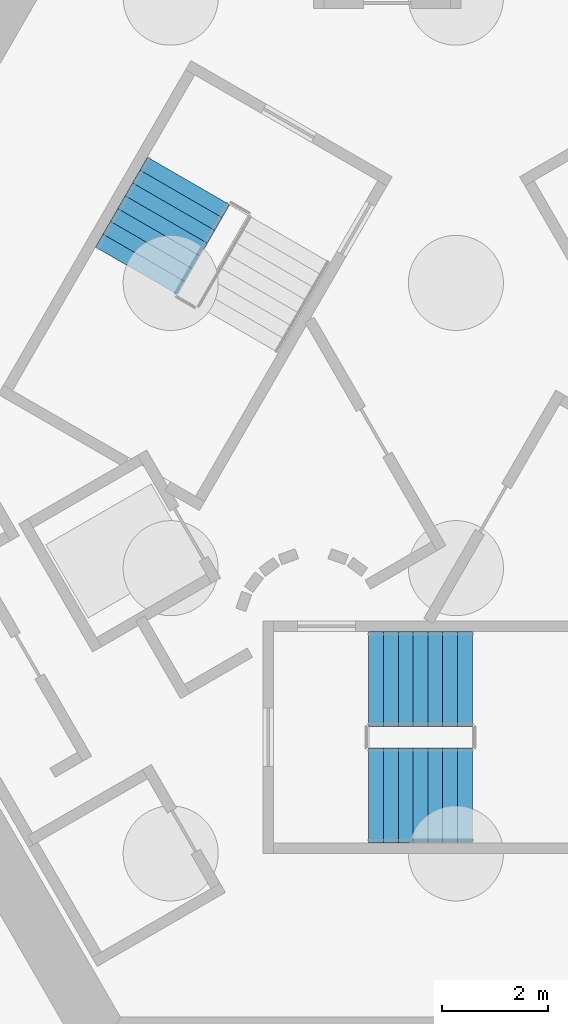
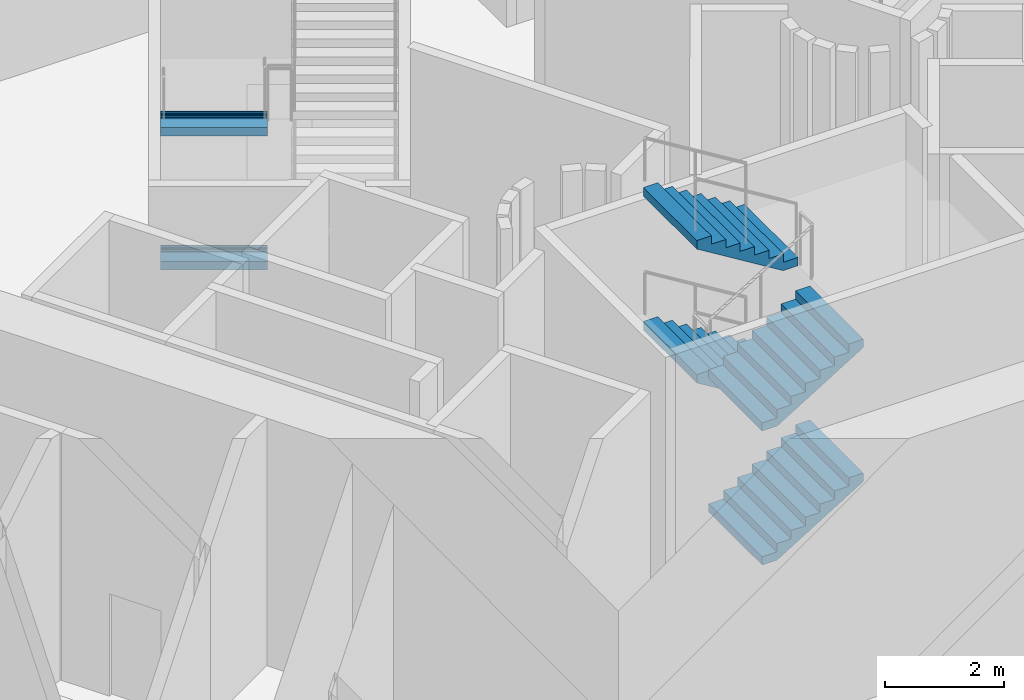
# One storey, part 11 of 14: 6 stair flights, 2 elements without a shape of their own.
"""IFC4 building model written with IfcOpenShell, lengths in metres."""

from ifc_helpers import new_model, si_unit, direction, frame, origin, place, context, subcontext, project, spatial, triangles, material, type_object, element, aggregate, save


model = new_model("IFC4")

# Units and contexts
model_context = context("Model", 3, precision=1e-05, world=origin(), true_north=direction((0.0, 1.0)))
body_context = subcontext(model_context, "Body", "Model", "MODEL_VIEW")
ifc_project = project(units=[si_unit("LENGTHUNIT", "METRE"), si_unit("AREAUNIT", "SQUARE_METRE"), si_unit("VOLUMEUNIT", "CUBIC_METRE"), si_unit("PLANEANGLEUNIT", "RADIAN"), si_unit("MASSUNIT", "GRAM", prefix="KILO")], contexts=[model_context])

# Site, building, storey
site_placement = place(None, origin())
site = spatial("IfcSite", under=ifc_project, at=site_placement, CompositionType="ELEMENT")
building_placement = place(site_placement, origin())
building = spatial("IfcBuilding", under=site, at=building_placement, Name="Entoto Arch Interchange Tower", CompositionType="ELEMENT")
storey_placement = place(building_placement, frame((0.0, 0.0, -16.5)))
storey = spatial("IfcBuildingStorey", under=building, at=storey_placement, Name="B3", CompositionType="ELEMENT", Elevation=-16.5)

# Stair, stair flights
ifc_material = material(Name="Concrete C40/50", Category="concrete")
stair_type = type_object("IfcStairType", Name="EXIT STAIR RC 1800", PredefinedType="HALF_TURN_STAIR", material=ifc_material)
stair_1_placement = place(storey_placement, origin())
stair_1 = element("IfcStair", 1, at=stair_1_placement, inside=storey, type_object=stair_type, Name="B3 Exit stair S", PredefinedType="HALF_TURN_STAIR")
stair_flight_type = type_object("IfcStairFlightType", Name="EXIT STAIR FLIGHT RC 1800", PredefinedType="STRAIGHT", material=ifc_material)
stair_flight_1_placement = place(storey_placement, frame((-1.64990234375, -4.300048828125, 0.0), z_axis=(0.0, 0.0, 1.0), x_axis=(1.0, 0.0, 0.0)))
stair_flight_1 = element("IfcStairFlight", 2, at=stair_flight_1_placement, type_object=stair_flight_type, Name="ST-S flight 1", NumberOfRisers=8, NumberOfTreads=7, PredefinedType="STRAIGHT", RiserHeight=0.171875, TreadLength=0.28, context=body_context, shape_type="Tessellation", body=[
    triangles([(-0.003, -0.900024, 0.0), (-0.003, -0.900024, 0.171875), (0.28, -0.900024, 0.171875), (0.28, -0.900024, 0.34375), (0.56, -0.900024, 0.34375), (0.56, -0.900024, 0.515625), (0.84, -0.900024, 0.515625), (0.84, -0.900024, 0.6875), (1.12, -0.900024, 0.6875), (1.12, -0.900024, 0.859375), (1.4, -0.900024, 0.859375), (1.4, -0.900024, 1.03125), (1.68, -0.900024, 1.03125), (1.68, -0.900024, 1.203125), (1.96, -0.900024, 1.203125), (1.963, -0.900024, 1.203125), (1.963, -0.900024, 1.029076), (0.286542, -0.900024, 0.0), (-0.003, 0.900024, 0.0), (-0.003, 0.900024, 0.171875), (0.28, 0.900024, 0.171875), (0.28, 0.900024, 0.34375), (0.56, 0.900024, 0.34375), (0.56, 0.900024, 0.515625), (0.84, 0.900024, 0.515625), (0.84, 0.900024, 0.6875), (1.12, 0.900024, 0.6875), (1.12, 0.900024, 0.859375), (1.4, 0.900024, 0.859375), (1.4, 0.900024, 1.03125), (1.68, 0.900024, 1.03125), (1.68, 0.900024, 1.203125), (1.96, 0.900024, 1.203125), (1.963, 0.900024, 1.203125), (1.963, 0.900024, 1.029076), (0.286542, 0.900024, 0.0), (-0.003, -0.450012, 0.0), (-0.003, -0.450012, 0.171875), (-0.003, 0.0, 0.0), (-0.003, 0.0, 0.171875), (-0.003, 0.450012, 0.0), (-0.003, 0.450012, 0.171875), (0.28, -0.450012, 0.171875), (0.28, 0.0, 0.171875), (0.28, 0.450012, 0.171875), (0.28, -0.450012, 0.34375), (0.28, 0.0, 0.34375), (0.28, 0.450012, 0.34375), (0.56, -0.450012, 0.34375), (0.56, 0.0, 0.34375), (0.56, 0.450012, 0.34375), (0.56, -0.450012, 0.515625), (0.56, 0.0, 0.515625), (0.56, 0.450012, 0.515625), (0.84, -0.450012, 0.515625), (0.84, 0.0, 0.515625), (0.84, 0.450012, 0.515625), (0.84, -0.450012, 0.6875), (0.84, 0.0, 0.6875), (0.84, 0.450012, 0.6875), (1.12, -0.450012, 0.6875), (1.12, 0.0, 0.6875), (1.12, 0.450012, 0.6875), (1.12, -0.450012, 0.859375), (1.12, 0.0, 0.859375), (1.12, 0.450012, 0.859375), (1.4, -0.450012, 0.859375), (1.4, 0.0, 0.859375), (1.4, 0.450012, 0.859375), (1.4, -0.450012, 1.03125), (1.4, 0.0, 1.03125), (1.4, 0.450012, 1.03125), (1.68, -0.450012, 1.03125), (1.68, 0.0, 1.03125), (1.68, 0.450012, 1.03125), (1.68, -0.450012, 1.203125), (1.68, 0.0, 1.203125), (1.68, 0.450012, 1.203125), (1.96, -0.450012, 1.203125), (1.96, 0.0, 1.203125), (1.96, 0.450012, 1.203125), (1.963, -0.450012, 1.203125), (1.963, 0.0, 1.203125), (1.963, 0.450012, 1.203125), (1.963, -0.450012, 1.029076), (1.963, 0.0, 1.029076), (1.963, 0.450012, 1.029076), (0.286542, -0.450012, 0.0), (0.286542, 0.0, 0.0), (0.286542, 0.450012, 0.0)], [[1, 18, 17], [17, 16, 15], [17, 15, 14], [17, 14, 13], [17, 13, 12], [17, 12, 11], [11, 10, 9], [17, 11, 9], [9, 8, 7], [17, 9, 7], [7, 6, 5], [17, 7, 5], [5, 4, 3], [17, 5, 3], [1, 17, 3], [3, 2, 1], [19, 35, 36], [35, 33, 34], [35, 32, 33], [35, 31, 32], [35, 30, 31], [35, 29, 30], [29, 27, 28], [35, 27, 29], [27, 25, 26], [35, 25, 27], [25, 23, 24], [35, 23, 25], [23, 21, 22], [35, 21, 23], [19, 21, 35], [21, 19, 20], [1, 2, 38], [1, 38, 37], [37, 38, 40], [37, 40, 39], [39, 40, 42], [39, 42, 41], [41, 42, 20], [41, 20, 19], [2, 3, 43], [2, 43, 38], [38, 43, 44], [38, 44, 40], [40, 44, 45], [40, 45, 42], [42, 45, 21], [42, 21, 20], [3, 4, 46], [3, 46, 43], [43, 46, 47], [43, 47, 44], [44, 47, 48], [44, 48, 45], [45, 48, 22], [45, 22, 21], [4, 5, 49], [4, 49, 46], [46, 49, 50], [46, 50, 47], [47, 50, 51], [47, 51, 48], [48, 51, 23], [48, 23, 22], [5, 6, 52], [5, 52, 49], [49, 52, 53], [49, 53, 50], [50, 53, 54], [50, 54, 51], [51, 54, 24], [51, 24, 23], [6, 7, 55], [6, 55, 52], [52, 55, 56], [52, 56, 53], [53, 56, 57], [53, 57, 54], [54, 57, 25], [54, 25, 24], [7, 8, 58], [7, 58, 55], [55, 58, 59], [55, 59, 56], [56, 59, 60], [56, 60, 57], [57, 60, 26], [57, 26, 25], [8, 9, 61], [8, 61, 58], [58, 61, 62], [58, 62, 59], [59, 62, 63], [59, 63, 60], [60, 63, 27], [60, 27, 26], [9, 10, 64], [9, 64, 61], [61, 64, 65], [61, 65, 62], [62, 65, 66], [62, 66, 63], [63, 66, 28], [63, 28, 27], [10, 11, 67], [10, 67, 64], [64, 67, 68], [64, 68, 65], [65, 68, 69], [65, 69, 66], [66, 69, 29], [66, 29, 28], [11, 12, 70], [11, 70, 67], [67, 70, 71], [67, 71, 68], [68, 71, 72], [68, 72, 69], [69, 72, 30], [69, 30, 29], [12, 13, 73], [12, 73, 70], [70, 73, 74], [70, 74, 71], [71, 74, 75], [71, 75, 72], [72, 75, 31], [72, 31, 30], [13, 14, 76], [13, 76, 73], [73, 76, 77], [73, 77, 74], [74, 77, 78], [74, 78, 75], [75, 78, 32], [75, 32, 31], [14, 15, 79], [14, 79, 76], [76, 79, 80], [76, 80, 77], [77, 80, 81], [77, 81, 78], [78, 81, 33], [78, 33, 32], [15, 16, 82], [15, 82, 79], [79, 82, 83], [79, 83, 80], [80, 83, 84], [80, 84, 81], [81, 84, 34], [81, 34, 33], [16, 17, 85], [16, 85, 82], [82, 85, 86], [82, 86, 83], [83, 86, 87], [83, 87, 84], [84, 87, 35], [84, 35, 34], [17, 18, 88], [17, 88, 85], [85, 88, 89], [85, 89, 86], [86, 89, 90], [86, 90, 87], [87, 90, 36], [87, 36, 35], [18, 1, 37], [18, 37, 88], [88, 37, 39], [88, 39, 89], [89, 39, 41], [89, 41, 90], [90, 41, 19], [90, 19, 36]], closed=True),
])
stair_flight_2_placement = place(storey_placement, frame((0.31005859375, -2.10009765625, 1.375), z_axis=(0.0, 0.0, 1.0), x_axis=(-1.0, 0.0, 0.0)))
stair_flight_2 = element("IfcStairFlight", 3, at=stair_flight_2_placement, type_object=stair_flight_type, Name="ST-S flight 2", NumberOfRisers=8, NumberOfTreads=7, PredefinedType="STRAIGHT", RiserHeight=0.171875, TreadLength=0.28, context=body_context, shape_type="Tessellation", body=[
    triangles([(-0.003, -0.900024, 0.0), (-0.003, -0.900024, 0.171875), (0.28, -0.900024, 0.171875), (0.28, -0.900024, 0.34375), (0.56, -0.900024, 0.34375), (0.56, -0.900024, 0.515625), (0.84, -0.900024, 0.515625), (0.84, -0.900024, 0.6875), (1.12, -0.900024, 0.6875), (1.12, -0.900024, 0.859375), (1.4, -0.900024, 0.859375), (1.4, -0.900024, 1.03125), (1.68, -0.900024, 1.03125), (1.68, -0.900024, 1.203125), (1.96, -0.900024, 1.203125), (1.963, -0.900024, 1.203125), (1.963, -0.900024, 1.029076), (0.286542, -0.900024, 0.0), (-0.003, 0.900024, 0.0), (-0.003, 0.900024, 0.171875), (0.28, 0.900024, 0.171875), (0.28, 0.900024, 0.34375), (0.56, 0.900024, 0.34375), (0.56, 0.900024, 0.515625), (0.84, 0.900024, 0.515625), (0.84, 0.900024, 0.6875), (1.12, 0.900024, 0.6875), (1.12, 0.900024, 0.859375), (1.4, 0.900024, 0.859375), (1.4, 0.900024, 1.03125), (1.68, 0.900024, 1.03125), (1.68, 0.900024, 1.203125), (1.96, 0.900024, 1.203125), (1.963, 0.900024, 1.203125), (1.963, 0.900024, 1.029076), (0.286542, 0.900024, 0.0), (-0.003, -0.450012, 0.0), (-0.003, -0.450012, 0.171875), (-0.003, 0.0, 0.0), (-0.003, 0.0, 0.171875), (-0.003, 0.450012, 0.0), (-0.003, 0.450012, 0.171875), (0.28, -0.450012, 0.171875), (0.28, 0.0, 0.171875), (0.28, 0.450012, 0.171875), (0.28, -0.450012, 0.34375), (0.28, 0.0, 0.34375), (0.28, 0.450012, 0.34375), (0.56, -0.450012, 0.34375), (0.56, 0.0, 0.34375), (0.56, 0.450012, 0.34375), (0.56, -0.450012, 0.515625), (0.56, 0.0, 0.515625), (0.56, 0.450012, 0.515625), (0.84, -0.450012, 0.515625), (0.84, 0.0, 0.515625), (0.84, 0.450012, 0.515625), (0.84, -0.450012, 0.6875), (0.84, 0.0, 0.6875), (0.84, 0.450012, 0.6875), (1.12, -0.450012, 0.6875), (1.12, 0.0, 0.6875), (1.12, 0.450012, 0.6875), (1.12, -0.450012, 0.859375), (1.12, 0.0, 0.859375), (1.12, 0.450012, 0.859375), (1.4, -0.450012, 0.859375), (1.4, 0.0, 0.859375), (1.4, 0.450012, 0.859375), (1.4, -0.450012, 1.03125), (1.4, 0.0, 1.03125), (1.4, 0.450012, 1.03125), (1.68, -0.450012, 1.03125), (1.68, 0.0, 1.03125), (1.68, 0.450012, 1.03125), (1.68, -0.450012, 1.203125), (1.68, 0.0, 1.203125), (1.68, 0.450012, 1.203125), (1.96, -0.450012, 1.203125), (1.96, 0.0, 1.203125), (1.96, 0.450012, 1.203125), (1.963, -0.450012, 1.203125), (1.963, 0.0, 1.203125), (1.963, 0.450012, 1.203125), (1.963, -0.450012, 1.029076), (1.963, 0.0, 1.029076), (1.963, 0.450012, 1.029076), (0.286542, -0.450012, 0.0), (0.286542, 0.0, 0.0), (0.286542, 0.450012, 0.0)], [[1, 18, 17], [17, 16, 15], [17, 15, 14], [17, 14, 13], [17, 13, 12], [17, 12, 11], [11, 10, 9], [17, 11, 9], [9, 8, 7], [17, 9, 7], [7, 6, 5], [17, 7, 5], [5, 4, 3], [17, 5, 3], [1, 17, 3], [3, 2, 1], [19, 35, 36], [35, 33, 34], [35, 32, 33], [35, 31, 32], [35, 30, 31], [35, 29, 30], [29, 27, 28], [35, 27, 29], [27, 25, 26], [35, 25, 27], [25, 23, 24], [35, 23, 25], [23, 21, 22], [35, 21, 23], [19, 21, 35], [21, 19, 20], [1, 2, 38], [1, 38, 37], [37, 38, 40], [37, 40, 39], [39, 40, 42], [39, 42, 41], [41, 42, 20], [41, 20, 19], [2, 3, 43], [2, 43, 38], [38, 43, 44], [38, 44, 40], [40, 44, 45], [40, 45, 42], [42, 45, 21], [42, 21, 20], [3, 4, 46], [3, 46, 43], [43, 46, 47], [43, 47, 44], [44, 47, 48], [44, 48, 45], [45, 48, 22], [45, 22, 21], [4, 5, 49], [4, 49, 46], [46, 49, 50], [46, 50, 47], [47, 50, 51], [47, 51, 48], [48, 51, 23], [48, 23, 22], [5, 6, 52], [5, 52, 49], [49, 52, 53], [49, 53, 50], [50, 53, 54], [50, 54, 51], [51, 54, 24], [51, 24, 23], [6, 7, 55], [6, 55, 52], [52, 55, 56], [52, 56, 53], [53, 56, 57], [53, 57, 54], [54, 57, 25], [54, 25, 24], [7, 8, 58], [7, 58, 55], [55, 58, 59], [55, 59, 56], [56, 59, 60], [56, 60, 57], [57, 60, 26], [57, 26, 25], [8, 9, 61], [8, 61, 58], [58, 61, 62], [58, 62, 59], [59, 62, 63], [59, 63, 60], [60, 63, 27], [60, 27, 26], [9, 10, 64], [9, 64, 61], [61, 64, 65], [61, 65, 62], [62, 65, 66], [62, 66, 63], [63, 66, 28], [63, 28, 27], [10, 11, 67], [10, 67, 64], [64, 67, 68], [64, 68, 65], [65, 68, 69], [65, 69, 66], [66, 69, 29], [66, 29, 28], [11, 12, 70], [11, 70, 67], [67, 70, 71], [67, 71, 68], [68, 71, 72], [68, 72, 69], [69, 72, 30], [69, 30, 29], [12, 13, 73], [12, 73, 70], [70, 73, 74], [70, 74, 71], [71, 74, 75], [71, 75, 72], [72, 75, 31], [72, 31, 30], [13, 14, 76], [13, 76, 73], [73, 76, 77], [73, 77, 74], [74, 77, 78], [74, 78, 75], [75, 78, 32], [75, 32, 31], [14, 15, 79], [14, 79, 76], [76, 79, 80], [76, 80, 77], [77, 80, 81], [77, 81, 78], [78, 81, 33], [78, 33, 32], [15, 16, 82], [15, 82, 79], [79, 82, 83], [79, 83, 80], [80, 83, 84], [80, 84, 81], [81, 84, 34], [81, 34, 33], [16, 17, 85], [16, 85, 82], [82, 85, 86], [82, 86, 83], [83, 86, 87], [83, 87, 84], [84, 87, 35], [84, 35, 34], [17, 18, 88], [17, 88, 85], [85, 88, 89], [85, 89, 86], [86, 89, 90], [86, 90, 87], [87, 90, 36], [87, 36, 35], [18, 1, 37], [18, 37, 88], [88, 37, 39], [88, 39, 89], [89, 39, 41], [89, 41, 90], [90, 41, 19], [90, 19, 36]], closed=True),
])
stair_flight_3_placement = place(storey_placement, frame((-1.64990234375, -4.300048828125, 2.75), z_axis=(0.0, 0.0, 1.0), x_axis=(1.0, 0.0, 0.0)))
stair_flight_3 = element("IfcStairFlight", 4, at=stair_flight_3_placement, type_object=stair_flight_type, Name="ST-S flight 3", NumberOfRisers=8, NumberOfTreads=7, PredefinedType="STRAIGHT", RiserHeight=0.171875, TreadLength=0.28, context=body_context, shape_type="Tessellation", body=[
    triangles([(-0.003, -0.900024, 0.0), (-0.003, -0.900024, 0.171875), (0.28, -0.900024, 0.171875), (0.28, -0.900024, 0.34375), (0.56, -0.900024, 0.34375), (0.56, -0.900024, 0.515625), (0.84, -0.900024, 0.515625), (0.84, -0.900024, 0.6875), (1.12, -0.900024, 0.6875), (1.12, -0.900024, 0.859375), (1.4, -0.900024, 0.859375), (1.4, -0.900024, 1.03125), (1.68, -0.900024, 1.03125), (1.68, -0.900024, 1.203125), (1.96, -0.900024, 1.203125), (1.963, -0.900024, 1.203125), (1.963, -0.900024, 1.029076), (0.286542, -0.900024, 0.0), (-0.003, 0.900024, 0.0), (-0.003, 0.900024, 0.171875), (0.28, 0.900024, 0.171875), (0.28, 0.900024, 0.34375), (0.56, 0.900024, 0.34375), (0.56, 0.900024, 0.515625), (0.84, 0.900024, 0.515625), (0.84, 0.900024, 0.6875), (1.12, 0.900024, 0.6875), (1.12, 0.900024, 0.859375), (1.4, 0.900024, 0.859375), (1.4, 0.900024, 1.03125), (1.68, 0.900024, 1.03125), (1.68, 0.900024, 1.203125), (1.96, 0.900024, 1.203125), (1.963, 0.900024, 1.203125), (1.963, 0.900024, 1.029076), (0.286542, 0.900024, 0.0), (-0.003, -0.450012, 0.0), (-0.003, -0.450012, 0.171875), (-0.003, 0.0, 0.0), (-0.003, 0.0, 0.171875), (-0.003, 0.450012, 0.0), (-0.003, 0.450012, 0.171875), (0.28, -0.450012, 0.171875), (0.28, 0.0, 0.171875), (0.28, 0.450012, 0.171875), (0.28, -0.450012, 0.34375), (0.28, 0.0, 0.34375), (0.28, 0.450012, 0.34375), (0.56, -0.450012, 0.34375), (0.56, 0.0, 0.34375), (0.56, 0.450012, 0.34375), (0.56, -0.450012, 0.515625), (0.56, 0.0, 0.515625), (0.56, 0.450012, 0.515625), (0.84, -0.450012, 0.515625), (0.84, 0.0, 0.515625), (0.84, 0.450012, 0.515625), (0.84, -0.450012, 0.6875), (0.84, 0.0, 0.6875), (0.84, 0.450012, 0.6875), (1.12, -0.450012, 0.6875), (1.12, 0.0, 0.6875), (1.12, 0.450012, 0.6875), (1.12, -0.450012, 0.859375), (1.12, 0.0, 0.859375), (1.12, 0.450012, 0.859375), (1.4, -0.450012, 0.859375), (1.4, 0.0, 0.859375), (1.4, 0.450012, 0.859375), (1.4, -0.450012, 1.03125), (1.4, 0.0, 1.03125), (1.4, 0.450012, 1.03125), (1.68, -0.450012, 1.03125), (1.68, 0.0, 1.03125), (1.68, 0.450012, 1.03125), (1.68, -0.450012, 1.203125), (1.68, 0.0, 1.203125), (1.68, 0.450012, 1.203125), (1.96, -0.450012, 1.203125), (1.96, 0.0, 1.203125), (1.96, 0.450012, 1.203125), (1.963, -0.450012, 1.203125), (1.963, 0.0, 1.203125), (1.963, 0.450012, 1.203125), (1.963, -0.450012, 1.029076), (1.963, 0.0, 1.029076), (1.963, 0.450012, 1.029076), (0.286542, -0.450012, 0.0), (0.286542, 0.0, 0.0), (0.286542, 0.450012, 0.0)], [[1, 18, 17], [17, 16, 15], [17, 15, 14], [17, 14, 13], [17, 13, 12], [17, 12, 11], [11, 10, 9], [17, 11, 9], [9, 8, 7], [17, 9, 7], [7, 6, 5], [17, 7, 5], [5, 4, 3], [17, 5, 3], [1, 17, 3], [3, 2, 1], [19, 35, 36], [35, 33, 34], [35, 32, 33], [35, 31, 32], [35, 30, 31], [35, 29, 30], [29, 27, 28], [35, 27, 29], [27, 25, 26], [35, 25, 27], [25, 23, 24], [35, 23, 25], [23, 21, 22], [35, 21, 23], [19, 21, 35], [21, 19, 20], [1, 2, 38], [1, 38, 37], [37, 38, 40], [37, 40, 39], [39, 40, 42], [39, 42, 41], [41, 42, 20], [41, 20, 19], [2, 3, 43], [2, 43, 38], [38, 43, 44], [38, 44, 40], [40, 44, 45], [40, 45, 42], [42, 45, 21], [42, 21, 20], [3, 4, 46], [3, 46, 43], [43, 46, 47], [43, 47, 44], [44, 47, 48], [44, 48, 45], [45, 48, 22], [45, 22, 21], [4, 5, 49], [4, 49, 46], [46, 49, 50], [46, 50, 47], [47, 50, 51], [47, 51, 48], [48, 51, 23], [48, 23, 22], [5, 6, 52], [5, 52, 49], [49, 52, 53], [49, 53, 50], [50, 53, 54], [50, 54, 51], [51, 54, 24], [51, 24, 23], [6, 7, 55], [6, 55, 52], [52, 55, 56], [52, 56, 53], [53, 56, 57], [53, 57, 54], [54, 57, 25], [54, 25, 24], [7, 8, 58], [7, 58, 55], [55, 58, 59], [55, 59, 56], [56, 59, 60], [56, 60, 57], [57, 60, 26], [57, 26, 25], [8, 9, 61], [8, 61, 58], [58, 61, 62], [58, 62, 59], [59, 62, 63], [59, 63, 60], [60, 63, 27], [60, 27, 26], [9, 10, 64], [9, 64, 61], [61, 64, 65], [61, 65, 62], [62, 65, 66], [62, 66, 63], [63, 66, 28], [63, 28, 27], [10, 11, 67], [10, 67, 64], [64, 67, 68], [64, 68, 65], [65, 68, 69], [65, 69, 66], [66, 69, 29], [66, 29, 28], [11, 12, 70], [11, 70, 67], [67, 70, 71], [67, 71, 68], [68, 71, 72], [68, 72, 69], [69, 72, 30], [69, 30, 29], [12, 13, 73], [12, 73, 70], [70, 73, 74], [70, 74, 71], [71, 74, 75], [71, 75, 72], [72, 75, 31], [72, 31, 30], [13, 14, 76], [13, 76, 73], [73, 76, 77], [73, 77, 74], [74, 77, 78], [74, 78, 75], [75, 78, 32], [75, 32, 31], [14, 15, 79], [14, 79, 76], [76, 79, 80], [76, 80, 77], [77, 80, 81], [77, 81, 78], [78, 81, 33], [78, 33, 32], [15, 16, 82], [15, 82, 79], [79, 82, 83], [79, 83, 80], [80, 83, 84], [80, 84, 81], [81, 84, 34], [81, 34, 33], [16, 17, 85], [16, 85, 82], [82, 85, 86], [82, 86, 83], [83, 86, 87], [83, 87, 84], [84, 87, 35], [84, 35, 34], [17, 18, 88], [17, 88, 85], [85, 88, 89], [85, 89, 86], [86, 89, 90], [86, 90, 87], [87, 90, 36], [87, 36, 35], [18, 1, 37], [18, 37, 88], [88, 37, 39], [88, 39, 89], [89, 39, 41], [89, 41, 90], [90, 41, 19], [90, 19, 36]], closed=True),
])
stair_flight_4_placement = place(storey_placement, frame((0.31005859375, -2.10009765625, 4.125), z_axis=(0.0, 0.0, 1.0), x_axis=(-1.0, 0.0, 0.0)))
stair_flight_4 = element("IfcStairFlight", 5, at=stair_flight_4_placement, type_object=stair_flight_type, Name="ST-S flight 4", NumberOfRisers=8, NumberOfTreads=7, PredefinedType="STRAIGHT", RiserHeight=0.171875, TreadLength=0.28, context=body_context, shape_type="Tessellation", body=[
    triangles([(-0.003, -0.900024, 0.0), (-0.003, -0.900024, 0.171875), (0.28, -0.900024, 0.171875), (0.28, -0.900024, 0.34375), (0.56, -0.900024, 0.34375), (0.56, -0.900024, 0.515625), (0.84, -0.900024, 0.515625), (0.84, -0.900024, 0.6875), (1.12, -0.900024, 0.6875), (1.12, -0.900024, 0.859375), (1.4, -0.900024, 0.859375), (1.4, -0.900024, 1.03125), (1.68, -0.900024, 1.03125), (1.68, -0.900024, 1.203125), (1.96, -0.900024, 1.203125), (1.963, -0.900024, 1.203125), (1.963, -0.900024, 1.029076), (0.286542, -0.900024, 0.0), (-0.003, 0.900024, 0.0), (-0.003, 0.900024, 0.171875), (0.28, 0.900024, 0.171875), (0.28, 0.900024, 0.34375), (0.56, 0.900024, 0.34375), (0.56, 0.900024, 0.515625), (0.84, 0.900024, 0.515625), (0.84, 0.900024, 0.6875), (1.12, 0.900024, 0.6875), (1.12, 0.900024, 0.859375), (1.4, 0.900024, 0.859375), (1.4, 0.900024, 1.03125), (1.68, 0.900024, 1.03125), (1.68, 0.900024, 1.203125), (1.96, 0.900024, 1.203125), (1.963, 0.900024, 1.203125), (1.963, 0.900024, 1.029076), (0.286542, 0.900024, 0.0), (-0.003, -0.450012, 0.0), (-0.003, -0.450012, 0.171875), (-0.003, 0.0, 0.0), (-0.003, 0.0, 0.171875), (-0.003, 0.450012, 0.0), (-0.003, 0.450012, 0.171875), (0.28, -0.450012, 0.171875), (0.28, 0.0, 0.171875), (0.28, 0.450012, 0.171875), (0.28, -0.450012, 0.34375), (0.28, 0.0, 0.34375), (0.28, 0.450012, 0.34375), (0.56, -0.450012, 0.34375), (0.56, 0.0, 0.34375), (0.56, 0.450012, 0.34375), (0.56, -0.450012, 0.515625), (0.56, 0.0, 0.515625), (0.56, 0.450012, 0.515625), (0.84, -0.450012, 0.515625), (0.84, 0.0, 0.515625), (0.84, 0.450012, 0.515625), (0.84, -0.450012, 0.6875), (0.84, 0.0, 0.6875), (0.84, 0.450012, 0.6875), (1.12, -0.450012, 0.6875), (1.12, 0.0, 0.6875), (1.12, 0.450012, 0.6875), (1.12, -0.450012, 0.859375), (1.12, 0.0, 0.859375), (1.12, 0.450012, 0.859375), (1.4, -0.450012, 0.859375), (1.4, 0.0, 0.859375), (1.4, 0.450012, 0.859375), (1.4, -0.450012, 1.03125), (1.4, 0.0, 1.03125), (1.4, 0.450012, 1.03125), (1.68, -0.450012, 1.03125), (1.68, 0.0, 1.03125), (1.68, 0.450012, 1.03125), (1.68, -0.450012, 1.203125), (1.68, 0.0, 1.203125), (1.68, 0.450012, 1.203125), (1.96, -0.450012, 1.203125), (1.96, 0.0, 1.203125), (1.96, 0.450012, 1.203125), (1.963, -0.450012, 1.203125), (1.963, 0.0, 1.203125), (1.963, 0.450012, 1.203125), (1.963, -0.450012, 1.029076), (1.963, 0.0, 1.029076), (1.963, 0.450012, 1.029076), (0.286542, -0.450012, 0.0), (0.286542, 0.0, 0.0), (0.286542, 0.450012, 0.0)], [[1, 18, 17], [17, 16, 15], [17, 15, 14], [17, 14, 13], [17, 13, 12], [17, 12, 11], [11, 10, 9], [17, 11, 9], [9, 8, 7], [17, 9, 7], [7, 6, 5], [17, 7, 5], [5, 4, 3], [17, 5, 3], [1, 17, 3], [3, 2, 1], [19, 35, 36], [35, 33, 34], [35, 32, 33], [35, 31, 32], [35, 30, 31], [35, 29, 30], [29, 27, 28], [35, 27, 29], [27, 25, 26], [35, 25, 27], [25, 23, 24], [35, 23, 25], [23, 21, 22], [35, 21, 23], [19, 21, 35], [21, 19, 20], [1, 2, 38], [1, 38, 37], [37, 38, 40], [37, 40, 39], [39, 40, 42], [39, 42, 41], [41, 42, 20], [41, 20, 19], [2, 3, 43], [2, 43, 38], [38, 43, 44], [38, 44, 40], [40, 44, 45], [40, 45, 42], [42, 45, 21], [42, 21, 20], [3, 4, 46], [3, 46, 43], [43, 46, 47], [43, 47, 44], [44, 47, 48], [44, 48, 45], [45, 48, 22], [45, 22, 21], [4, 5, 49], [4, 49, 46], [46, 49, 50], [46, 50, 47], [47, 50, 51], [47, 51, 48], [48, 51, 23], [48, 23, 22], [5, 6, 52], [5, 52, 49], [49, 52, 53], [49, 53, 50], [50, 53, 54], [50, 54, 51], [51, 54, 24], [51, 24, 23], [6, 7, 55], [6, 55, 52], [52, 55, 56], [52, 56, 53], [53, 56, 57], [53, 57, 54], [54, 57, 25], [54, 25, 24], [7, 8, 58], [7, 58, 55], [55, 58, 59], [55, 59, 56], [56, 59, 60], [56, 60, 57], [57, 60, 26], [57, 26, 25], [8, 9, 61], [8, 61, 58], [58, 61, 62], [58, 62, 59], [59, 62, 63], [59, 63, 60], [60, 63, 27], [60, 27, 26], [9, 10, 64], [9, 64, 61], [61, 64, 65], [61, 65, 62], [62, 65, 66], [62, 66, 63], [63, 66, 28], [63, 28, 27], [10, 11, 67], [10, 67, 64], [64, 67, 68], [64, 68, 65], [65, 68, 69], [65, 69, 66], [66, 69, 29], [66, 29, 28], [11, 12, 70], [11, 70, 67], [67, 70, 71], [67, 71, 68], [68, 71, 72], [68, 72, 69], [69, 72, 30], [69, 30, 29], [12, 13, 73], [12, 73, 70], [70, 73, 74], [70, 74, 71], [71, 74, 75], [71, 75, 72], [72, 75, 31], [72, 31, 30], [13, 14, 76], [13, 76, 73], [73, 76, 77], [73, 77, 74], [74, 77, 78], [74, 78, 75], [75, 78, 32], [75, 32, 31], [14, 15, 79], [14, 79, 76], [76, 79, 80], [76, 80, 77], [77, 80, 81], [77, 81, 78], [78, 81, 33], [78, 33, 32], [15, 16, 82], [15, 82, 79], [79, 82, 83], [79, 83, 80], [80, 83, 84], [80, 84, 81], [81, 84, 34], [81, 34, 33], [16, 17, 85], [16, 85, 82], [82, 85, 86], [82, 86, 83], [83, 86, 87], [83, 87, 84], [84, 87, 35], [84, 35, 34], [17, 18, 88], [17, 88, 85], [85, 88, 89], [85, 89, 86], [86, 89, 90], [86, 90, 87], [87, 90, 36], [87, 36, 35], [18, 1, 37], [18, 37, 88], [88, 37, 39], [88, 39, 89], [89, 39, 41], [89, 41, 90], [90, 41, 19], [90, 19, 36]], closed=True),
])
aggregate(stair_1, [stair_flight_1, stair_flight_2, stair_flight_3, stair_flight_4])

stair_2_placement = place(storey_placement, origin())
stair_2 = element("IfcStair", 6, at=stair_2_placement, inside=storey, type_object=stair_type, Name="B3 Exit stair NW", PredefinedType="HALF_TURN_STAIR")
stair_flight_5_placement = place(storey_placement, frame((-5.06396484375, 7.328857421875, 0.0), z_axis=(0.0, 0.0, 1.0), x_axis=(-0.5, -0.866025403784, 0.0)))
stair_flight_5 = element("IfcStairFlight", 7, at=stair_flight_5_placement, type_object=stair_flight_type, Name="ST-NW flight 1", NumberOfRisers=8, NumberOfTreads=7, PredefinedType="STRAIGHT", RiserHeight=0.171875, TreadLength=0.28, context=body_context, shape_type="Tessellation", body=[
    triangles([(-0.003, -0.900024, 0.0), (-0.003, -0.900024, 0.171875), (0.28, -0.900024, 0.171875), (0.28, -0.900024, 0.34375), (0.56, -0.900024, 0.34375), (0.56, -0.900024, 0.515625), (0.84, -0.900024, 0.515625), (0.84, -0.900024, 0.6875), (1.12, -0.900024, 0.6875), (1.12, -0.900024, 0.859375), (1.4, -0.900024, 0.859375), (1.4, -0.900024, 1.03125), (1.68, -0.900024, 1.03125), (1.68, -0.900024, 1.203125), (1.96, -0.900024, 1.203125), (1.963, -0.900024, 1.203125), (1.963, -0.900024, 1.029076), (0.286542, -0.900024, 0.0), (-0.003, 0.900024, 0.0), (-0.003, 0.900024, 0.171875), (0.28, 0.900024, 0.171875), (0.28, 0.900024, 0.34375), (0.56, 0.900024, 0.34375), (0.56, 0.900024, 0.515625), (0.84, 0.900024, 0.515625), (0.84, 0.900024, 0.6875), (1.12, 0.900024, 0.6875), (1.12, 0.900024, 0.859375), (1.4, 0.900024, 0.859375), (1.4, 0.900024, 1.03125), (1.68, 0.900024, 1.03125), (1.68, 0.900024, 1.203125), (1.96, 0.900024, 1.203125), (1.963, 0.900024, 1.203125), (1.963, 0.900024, 1.029076), (0.286542, 0.900024, 0.0), (-0.003, -0.450012, 0.0), (-0.003, -0.450012, 0.171875), (-0.003, 0.0, 0.0), (-0.003, 0.0, 0.171875), (-0.003, 0.450012, 0.0), (-0.003, 0.450012, 0.171875), (0.28, -0.450012, 0.171875), (0.28, 0.0, 0.171875), (0.28, 0.450012, 0.171875), (0.28, -0.450012, 0.34375), (0.28, 0.0, 0.34375), (0.28, 0.450012, 0.34375), (0.56, -0.450012, 0.34375), (0.56, 0.0, 0.34375), (0.56, 0.450012, 0.34375), (0.56, -0.450012, 0.515625), (0.56, 0.0, 0.515625), (0.56, 0.450012, 0.515625), (0.84, -0.450012, 0.515625), (0.84, 0.0, 0.515625), (0.84, 0.450012, 0.515625), (0.84, -0.450012, 0.6875), (0.84, 0.0, 0.6875), (0.84, 0.450012, 0.6875), (1.12, -0.450012, 0.6875), (1.12, 0.0, 0.6875), (1.12, 0.450012, 0.6875), (1.12, -0.450012, 0.859375), (1.12, 0.0, 0.859375), (1.12, 0.450012, 0.859375), (1.4, -0.450012, 0.859375), (1.4, 0.0, 0.859375), (1.4, 0.450012, 0.859375), (1.4, -0.450012, 1.03125), (1.4, 0.0, 1.03125), (1.4, 0.450012, 1.03125), (1.68, -0.450012, 1.03125), (1.68, 0.0, 1.03125), (1.68, 0.450012, 1.03125), (1.68, -0.450012, 1.203125), (1.68, 0.0, 1.203125), (1.68, 0.450012, 1.203125), (1.96, -0.450012, 1.203125), (1.96, 0.0, 1.203125), (1.96, 0.450012, 1.203125), (1.963, -0.450012, 1.203125), (1.963, 0.0, 1.203125), (1.963, 0.450012, 1.203125), (1.963, -0.450012, 1.029076), (1.963, 0.0, 1.029076), (1.963, 0.450012, 1.029076), (0.286542, -0.450012, 0.0), (0.286542, 0.0, 0.0), (0.286542, 0.450012, 0.0)], [[1, 18, 17], [17, 16, 15], [17, 15, 14], [17, 14, 13], [17, 13, 12], [17, 12, 11], [11, 10, 9], [17, 11, 9], [9, 8, 7], [17, 9, 7], [7, 6, 5], [17, 7, 5], [5, 4, 3], [17, 5, 3], [1, 17, 3], [3, 2, 1], [19, 35, 36], [35, 33, 34], [35, 32, 33], [35, 31, 32], [35, 30, 31], [35, 29, 30], [29, 27, 28], [35, 27, 29], [27, 25, 26], [35, 25, 27], [25, 23, 24], [35, 23, 25], [23, 21, 22], [35, 21, 23], [19, 21, 35], [21, 19, 20], [1, 2, 38], [1, 38, 37], [37, 38, 40], [37, 40, 39], [39, 40, 42], [39, 42, 41], [41, 42, 20], [41, 20, 19], [2, 3, 43], [2, 43, 38], [38, 43, 44], [38, 44, 40], [40, 44, 45], [40, 45, 42], [42, 45, 21], [42, 21, 20], [3, 4, 46], [3, 46, 43], [43, 46, 47], [43, 47, 44], [44, 47, 48], [44, 48, 45], [45, 48, 22], [45, 22, 21], [4, 5, 49], [4, 49, 46], [46, 49, 50], [46, 50, 47], [47, 50, 51], [47, 51, 48], [48, 51, 23], [48, 23, 22], [5, 6, 52], [5, 52, 49], [49, 52, 53], [49, 53, 50], [50, 53, 54], [50, 54, 51], [51, 54, 24], [51, 24, 23], [6, 7, 55], [6, 55, 52], [52, 55, 56], [52, 56, 53], [53, 56, 57], [53, 57, 54], [54, 57, 25], [54, 25, 24], [7, 8, 58], [7, 58, 55], [55, 58, 59], [55, 59, 56], [56, 59, 60], [56, 60, 57], [57, 60, 26], [57, 26, 25], [8, 9, 61], [8, 61, 58], [58, 61, 62], [58, 62, 59], [59, 62, 63], [59, 63, 60], [60, 63, 27], [60, 27, 26], [9, 10, 64], [9, 64, 61], [61, 64, 65], [61, 65, 62], [62, 65, 66], [62, 66, 63], [63, 66, 28], [63, 28, 27], [10, 11, 67], [10, 67, 64], [64, 67, 68], [64, 68, 65], [65, 68, 69], [65, 69, 66], [66, 69, 29], [66, 29, 28], [11, 12, 70], [11, 70, 67], [67, 70, 71], [67, 71, 68], [68, 71, 72], [68, 72, 69], [69, 72, 30], [69, 30, 29], [12, 13, 73], [12, 73, 70], [70, 73, 74], [70, 74, 71], [71, 74, 75], [71, 75, 72], [72, 75, 31], [72, 31, 30], [13, 14, 76], [13, 76, 73], [73, 76, 77], [73, 77, 74], [74, 77, 78], [74, 78, 75], [75, 78, 32], [75, 32, 31], [14, 15, 79], [14, 79, 76], [76, 79, 80], [76, 80, 77], [77, 80, 81], [77, 81, 78], [78, 81, 33], [78, 33, 32], [15, 16, 82], [15, 82, 79], [79, 82, 83], [79, 83, 80], [80, 83, 84], [80, 84, 81], [81, 84, 34], [81, 34, 33], [16, 17, 85], [16, 85, 82], [82, 85, 86], [82, 86, 83], [83, 86, 87], [83, 87, 84], [84, 87, 35], [84, 35, 34], [17, 18, 88], [17, 88, 85], [85, 88, 89], [85, 89, 86], [86, 89, 90], [86, 90, 87], [87, 90, 36], [87, 36, 35], [18, 1, 37], [18, 37, 88], [88, 37, 39], [88, 39, 89], [89, 39, 41], [89, 41, 90], [90, 41, 19], [90, 19, 36]], closed=True),
])
stair_flight_6_placement = place(storey_placement, frame((-5.06396484375, 7.328857421875, 2.75), z_axis=(0.0, 0.0, 1.0), x_axis=(-0.5, -0.866025403784, 0.0)))
stair_flight_6 = element("IfcStairFlight", 8, at=stair_flight_6_placement, type_object=stair_flight_type, Name="ST-NW flight 3", NumberOfRisers=8, NumberOfTreads=7, PredefinedType="STRAIGHT", RiserHeight=0.171875, TreadLength=0.28, context=body_context, shape_type="Tessellation", body=[
    triangles([(-0.003, -0.900024, 0.0), (-0.003, -0.900024, 0.171875), (0.28, -0.900024, 0.171875), (0.28, -0.900024, 0.34375), (0.56, -0.900024, 0.34375), (0.56, -0.900024, 0.515625), (0.84, -0.900024, 0.515625), (0.84, -0.900024, 0.6875), (1.12, -0.900024, 0.6875), (1.12, -0.900024, 0.859375), (1.4, -0.900024, 0.859375), (1.4, -0.900024, 1.03125), (1.68, -0.900024, 1.03125), (1.68, -0.900024, 1.203125), (1.96, -0.900024, 1.203125), (1.963, -0.900024, 1.203125), (1.963, -0.900024, 1.029076), (0.286542, -0.900024, 0.0), (-0.003, 0.900024, 0.0), (-0.003, 0.900024, 0.171875), (0.28, 0.900024, 0.171875), (0.28, 0.900024, 0.34375), (0.56, 0.900024, 0.34375), (0.56, 0.900024, 0.515625), (0.84, 0.900024, 0.515625), (0.84, 0.900024, 0.6875), (1.12, 0.900024, 0.6875), (1.12, 0.900024, 0.859375), (1.4, 0.900024, 0.859375), (1.4, 0.900024, 1.03125), (1.68, 0.900024, 1.03125), (1.68, 0.900024, 1.203125), (1.96, 0.900024, 1.203125), (1.963, 0.900024, 1.203125), (1.963, 0.900024, 1.029076), (0.286542, 0.900024, 0.0), (-0.003, -0.450012, 0.0), (-0.003, -0.450012, 0.171875), (-0.003, 0.0, 0.0), (-0.003, 0.0, 0.171875), (-0.003, 0.450012, 0.0), (-0.003, 0.450012, 0.171875), (0.28, -0.450012, 0.171875), (0.28, 0.0, 0.171875), (0.28, 0.450012, 0.171875), (0.28, -0.450012, 0.34375), (0.28, 0.0, 0.34375), (0.28, 0.450012, 0.34375), (0.56, -0.450012, 0.34375), (0.56, 0.0, 0.34375), (0.56, 0.450012, 0.34375), (0.56, -0.450012, 0.515625), (0.56, 0.0, 0.515625), (0.56, 0.450012, 0.515625), (0.84, -0.450012, 0.515625), (0.84, 0.0, 0.515625), (0.84, 0.450012, 0.515625), (0.84, -0.450012, 0.6875), (0.84, 0.0, 0.6875), (0.84, 0.450012, 0.6875), (1.12, -0.450012, 0.6875), (1.12, 0.0, 0.6875), (1.12, 0.450012, 0.6875), (1.12, -0.450012, 0.859375), (1.12, 0.0, 0.859375), (1.12, 0.450012, 0.859375), (1.4, -0.450012, 0.859375), (1.4, 0.0, 0.859375), (1.4, 0.450012, 0.859375), (1.4, -0.450012, 1.03125), (1.4, 0.0, 1.03125), (1.4, 0.450012, 1.03125), (1.68, -0.450012, 1.03125), (1.68, 0.0, 1.03125), (1.68, 0.450012, 1.03125), (1.68, -0.450012, 1.203125), (1.68, 0.0, 1.203125), (1.68, 0.450012, 1.203125), (1.96, -0.450012, 1.203125), (1.96, 0.0, 1.203125), (1.96, 0.450012, 1.203125), (1.963, -0.450012, 1.203125), (1.963, 0.0, 1.203125), (1.963, 0.450012, 1.203125), (1.963, -0.450012, 1.029076), (1.963, 0.0, 1.029076), (1.963, 0.450012, 1.029076), (0.286542, -0.450012, 0.0), (0.286542, 0.0, 0.0), (0.286542, 0.450012, 0.0)], [[1, 18, 17], [17, 16, 15], [17, 15, 14], [17, 14, 13], [17, 13, 12], [17, 12, 11], [11, 10, 9], [17, 11, 9], [9, 8, 7], [17, 9, 7], [7, 6, 5], [17, 7, 5], [5, 4, 3], [17, 5, 3], [1, 17, 3], [3, 2, 1], [19, 35, 36], [35, 33, 34], [35, 32, 33], [35, 31, 32], [35, 30, 31], [35, 29, 30], [29, 27, 28], [35, 27, 29], [27, 25, 26], [35, 25, 27], [25, 23, 24], [35, 23, 25], [23, 21, 22], [35, 21, 23], [19, 21, 35], [21, 19, 20], [1, 2, 38], [1, 38, 37], [37, 38, 40], [37, 40, 39], [39, 40, 42], [39, 42, 41], [41, 42, 20], [41, 20, 19], [2, 3, 43], [2, 43, 38], [38, 43, 44], [38, 44, 40], [40, 44, 45], [40, 45, 42], [42, 45, 21], [42, 21, 20], [3, 4, 46], [3, 46, 43], [43, 46, 47], [43, 47, 44], [44, 47, 48], [44, 48, 45], [45, 48, 22], [45, 22, 21], [4, 5, 49], [4, 49, 46], [46, 49, 50], [46, 50, 47], [47, 50, 51], [47, 51, 48], [48, 51, 23], [48, 23, 22], [5, 6, 52], [5, 52, 49], [49, 52, 53], [49, 53, 50], [50, 53, 54], [50, 54, 51], [51, 54, 24], [51, 24, 23], [6, 7, 55], [6, 55, 52], [52, 55, 56], [52, 56, 53], [53, 56, 57], [53, 57, 54], [54, 57, 25], [54, 25, 24], [7, 8, 58], [7, 58, 55], [55, 58, 59], [55, 59, 56], [56, 59, 60], [56, 60, 57], [57, 60, 26], [57, 26, 25], [8, 9, 61], [8, 61, 58], [58, 61, 62], [58, 62, 59], [59, 62, 63], [59, 63, 60], [60, 63, 27], [60, 27, 26], [9, 10, 64], [9, 64, 61], [61, 64, 65], [61, 65, 62], [62, 65, 66], [62, 66, 63], [63, 66, 28], [63, 28, 27], [10, 11, 67], [10, 67, 64], [64, 67, 68], [64, 68, 65], [65, 68, 69], [65, 69, 66], [66, 69, 29], [66, 29, 28], [11, 12, 70], [11, 70, 67], [67, 70, 71], [67, 71, 68], [68, 71, 72], [68, 72, 69], [69, 72, 30], [69, 30, 29], [12, 13, 73], [12, 73, 70], [70, 73, 74], [70, 74, 71], [71, 74, 75], [71, 75, 72], [72, 75, 31], [72, 31, 30], [13, 14, 76], [13, 76, 73], [73, 76, 77], [73, 77, 74], [74, 77, 78], [74, 78, 75], [75, 78, 32], [75, 32, 31], [14, 15, 79], [14, 79, 76], [76, 79, 80], [76, 80, 77], [77, 80, 81], [77, 81, 78], [78, 81, 33], [78, 33, 32], [15, 16, 82], [15, 82, 79], [79, 82, 83], [79, 83, 80], [80, 83, 84], [80, 84, 81], [81, 84, 34], [81, 34, 33], [16, 17, 85], [16, 85, 82], [82, 85, 86], [82, 86, 83], [83, 86, 87], [83, 87, 84], [84, 87, 35], [84, 35, 34], [17, 18, 88], [17, 88, 85], [85, 88, 89], [85, 89, 86], [86, 89, 90], [86, 90, 87], [87, 90, 36], [87, 36, 35], [18, 1, 37], [18, 37, 88], [88, 37, 39], [88, 39, 89], [89, 39, 41], [89, 41, 90], [90, 41, 19], [90, 19, 36]], closed=True),
])
aggregate(stair_2, [stair_flight_5, stair_flight_6])

save(model, "model.ifc")
